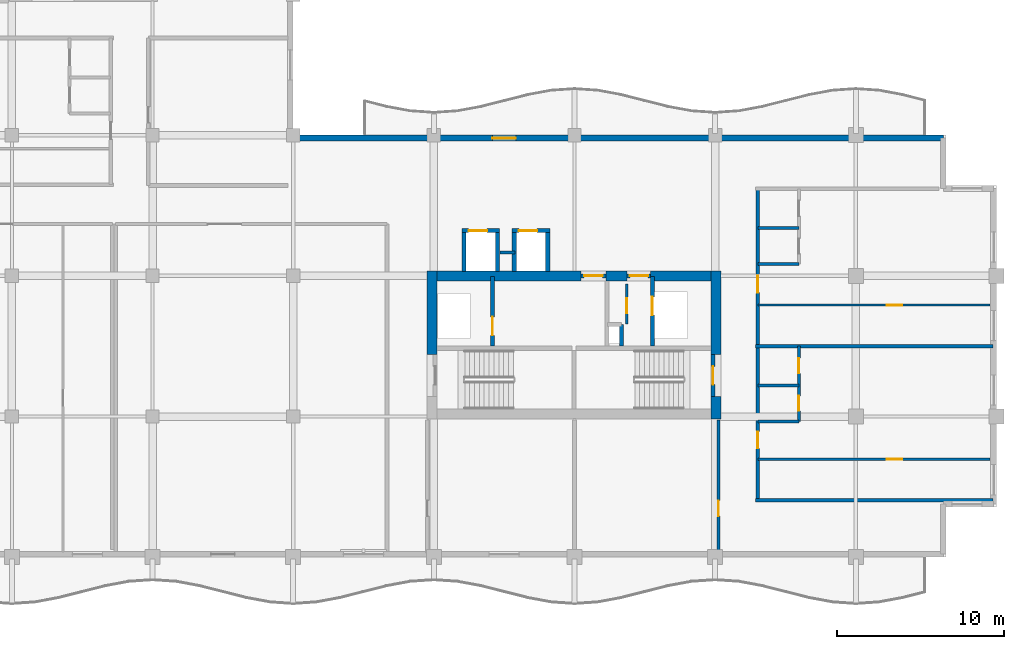
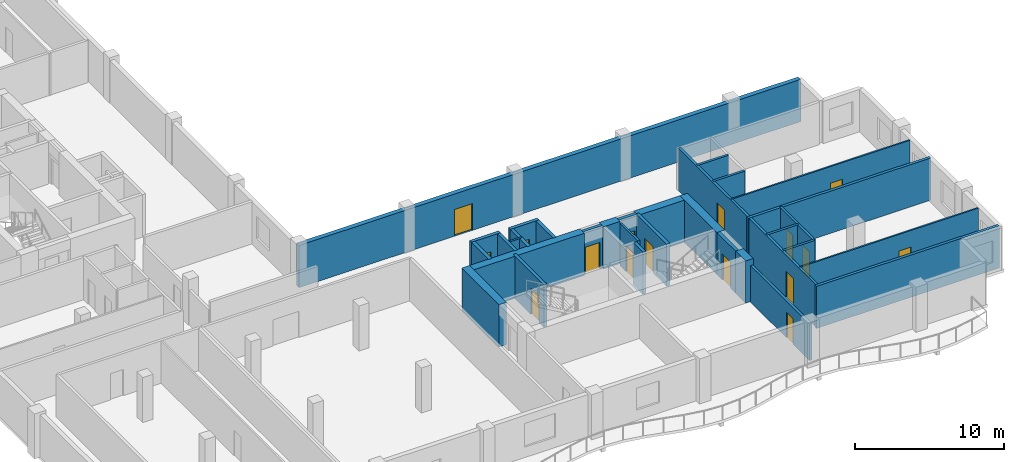
# One storey, part 7 of 16: 32 walls, 16 doors, 16 openings.
"""IFC4 building model written with IfcOpenShell, lengths in metres."""

from ifc_helpers import new_model, si_unit, direction, frame, frame_2d, origin, place, context, subcontext, project, spatial, rectangle, extrude, material, layer, layer_set, type_object, element, fill, save


model = new_model("IFC4")

# Units and contexts
model_context = context("Model", 3, precision=1e-05, world=origin(), true_north=direction((0.0, 1.0)))
body_context = subcontext(model_context, "Body", "Model", "MODEL_VIEW")
ifc_project = project(units=[si_unit("LENGTHUNIT", "METRE"), si_unit("AREAUNIT", "SQUARE_METRE"), si_unit("VOLUMEUNIT", "CUBIC_METRE"), si_unit("PLANEANGLEUNIT", "RADIAN"), si_unit("MASSUNIT", "GRAM", prefix="KILO")], contexts=[model_context])

# Site, building, storey
site_placement = place(None, origin())
site = spatial("IfcSite", under=ifc_project, at=site_placement, CompositionType="ELEMENT")
building_placement = place(site_placement, origin())
building = spatial("IfcBuilding", under=site, at=building_placement, Name="Koriwani Terraces Tower", CompositionType="ELEMENT")
storey_placement = place(building_placement, frame((0.0, 0.0, 267.5)))
storey = spatial("IfcBuildingStorey", under=building, at=storey_placement, Name="L66", CompositionType="ELEMENT", Elevation=267.5)

# Walls
ifc_material_1 = material(Name="Concrete C60/75", Category="concrete")
ifc_layer_1 = layer(ifc_material_1, 0.60009765625, Name="Concrete C60/75")
ifc_layer_set_1 = layer_set([ifc_layer_1], Name="Concrete C60/75")
wall_type_1 = type_object("IfcWallType", Name="WALL_CORE_RC_600", PredefinedType="SHEAR", material=ifc_layer_set_1)
wall_1_placement = place(storey_placement, frame((41.89990234375, 20.5, 0.0), z_axis=(0.0, 0.0, 1.0), x_axis=(0.0, 1.0, 0.0)))
element("IfcWall", 1, at=wall_1_placement, inside=storey, type_object=wall_type_1, Name="L66 East Split Core Shear Wall W2", PredefinedType="SHEAR", context=body_context, shape_type="SweptSolid", body=[
    extrude(rectangle(XDim=5.0, YDim=0.60009765625, at=frame_2d((2.5, 0.0))), origin(), (0.0, 0.0, 1.0), 3.469970703125),
])
wall_2_placement = place(storey_placement, frame((58.85009765625, 16.64990234375, 0.0), z_axis=(0.0, 0.0, 1.0), x_axis=(0.0, 1.0, 0.0)))
element("IfcWall", 2, at=wall_2_placement, inside=storey, type_object=wall_type_1, Name="L66 East Split Core Shear Wall E1", PredefinedType="SHEAR", context=body_context, shape_type="SweptSolid", body=[
    extrude(rectangle(XDim=1.35009765625, YDim=0.60009765625, at=frame_2d((0.675048828125, 0.0))), origin(), (0.0, 0.0, 1.0), 3.469970703125),
])
wall_3_placement = place(storey_placement, frame((58.85009765625, 20.5, 0.0), z_axis=(0.0, 0.0, 1.0), x_axis=(0.0, 1.0, 0.0)))
element("IfcWall", 3, at=wall_3_placement, inside=storey, type_object=wall_type_1, Name="L66 East Split Core Shear Wall E2", PredefinedType="SHEAR", context=body_context, shape_type="SweptSolid", body=[
    extrude(rectangle(XDim=5.0, YDim=0.60009765625, at=frame_2d((2.5, 0.0))), origin(), (0.0, 0.0, 1.0), 3.469970703125),
])
wall_4_placement = place(storey_placement, frame((42.199951171875, 25.199951171875, 0.0), z_axis=(0.0, 0.0, 1.0), x_axis=(1.0, 0.0, 0.0)))
element("IfcWall", 4, at=wall_4_placement, inside=storey, type_object=wall_type_1, Name="L66 East Split Core Shear Wall N1", PredefinedType="SHEAR", context=body_context, shape_type="SweptSolid", body=[
    extrude(rectangle(XDim=8.60009765625, YDim=0.60009765625, at=frame_2d((4.300048828125, 0.0))), origin(), (0.0, 0.0, 1.0), 3.469970703125),
])
wall_5_placement = place(storey_placement, frame((52.280029296875, 25.199951171875, 0.0), z_axis=(0.0, 0.0, 1.0), x_axis=(1.0, 0.0, 0.0)))
element("IfcWall", 5, at=wall_5_placement, inside=storey, type_object=wall_type_1, Name="L66 East Split Core Shear Wall N2", PredefinedType="SHEAR", context=body_context, shape_type="SweptSolid", body=[
    extrude(rectangle(XDim=1.27001953125, YDim=0.60009765625, at=frame_2d((0.635009765625, 0.0))), origin(), (0.0, 0.0, 1.0), 3.469970703125),
])
wall_6_placement = place(storey_placement, frame((54.949951171875, 25.199951171875, 0.0), z_axis=(0.0, 0.0, 1.0), x_axis=(1.0, 0.0, 0.0)))
element("IfcWall", 6, at=wall_6_placement, inside=storey, type_object=wall_type_1, Name="L66 East Split Core Shear Wall N3", PredefinedType="SHEAR", context=body_context, shape_type="SweptSolid", body=[
    extrude(rectangle(XDim=3.60009765625, YDim=0.60009765625, at=frame_2d((1.800048828125, 0.0))), origin(), (0.0, 0.0, 1.0), 3.469970703125),
])

# Wall, opening, door
ifc_material_2 = material(Name="Autoclaved Cellular Concrete Blockwork", Category="masonry")
ifc_layer_2 = layer(ifc_material_2, 0.199951171875, Name="Autoclaved Cellular Concrete Blockwork")
ifc_layer_set_2 = layer_set([ifc_layer_2], Name="Autoclaved Cellular Concrete Blockwork")
wall_type_2 = type_object("IfcWallType", Name="WALL_CORRIDOR_200", PredefinedType="PARTITIONING", material=ifc_layer_set_2)
wall_7_placement = place(storey_placement, frame((59.0, 8.64990234375, 0.0), z_axis=(0.0, 0.0, 1.0), x_axis=(0.0, 1.0, 0.0)))
wall_7 = element("IfcWall", 7, at=wall_7_placement, inside=storey, type_object=wall_type_2, Name="L66 Interior Wall WRZ4-EE-L66", PredefinedType="PARTITIONING", context=body_context, shape_type="SweptSolid", body=[
    extrude(rectangle(XDim=7.9501953125, YDim=0.199951171875, at=frame_2d((3.97509765625, 0.0))), origin(), (0.0, 0.0, 1.0), 3.007080078125),
])
opening_1_placement = place(wall_7_placement, frame((2.199951171875, 0.0, 0.0)))
opening_1 = element("IfcOpeningElement", 8, at=opening_1_placement, cuts=wall_7, Name="Opening D-06", PredefinedType="OPENING", context=body_context, shape_type="SweptSolid", body=[
    extrude(rectangle(XDim=0.919921875, YDim=2.10009765625, at=frame_2d((0.4599609375, 1.050048828125))), frame((0.0, 0.10986328125, 0.0), z_axis=(0.0, -1.0, 0.0), x_axis=(1.0, 0.0, 0.0)), (0.0, 0.0, 1.0), 0.219970703125),
])
ifc_material_3 = material(Name="Architectural Oak Fire Door", Category="wood")
door_type_1 = type_object("IfcDoorType", Name="DOOR_ROOM_INT_920X2100", OperationType="NOTDEFINED", PredefinedType="DOOR", material=ifc_material_3)
door_1_placement = place(opening_1_placement, origin())
door_1 = element("IfcDoor", 9, at=door_1_placement, inside=storey, type_object=door_type_1, Name="L66 Resident Laundry Room Door", OperationType="SINGLE_SWING_RIGHT", OverallHeight=2.10009765625, OverallWidth=0.919921875, PredefinedType="DOOR", context=body_context, shape_type="SweptSolid", body=[
    extrude(rectangle(XDim=0.919921875, YDim=2.10009765625, at=frame_2d((0.4599609375, 1.050048828125))), frame((0.0, 0.02490234375, 0.0), z_axis=(0.0, -1.0, 0.0), x_axis=(1.0, 0.0, 0.0)), (0.0, 0.0, 1.0), 0.050048828125),
])
fill(opening_1, door_1)

# Wall, openings, doors
wall_8_placement = place(storey_placement, frame((61.35009765625, 11.800048828125, 0.0), z_axis=(0.0, 0.0, 1.0), x_axis=(0.0, 1.0, 0.0)))
wall_8 = element("IfcWall", 10, at=wall_8_placement, inside=storey, type_object=wall_type_2, Name="L66 Interior Wall WRCOR-L66-ETE-0", PredefinedType="PARTITIONING", context=body_context, shape_type="SweptSolid", body=[
    extrude(rectangle(XDim=18.599853515625, YDim=0.199951171875, at=frame_2d((9.2998046875, 0.0))), origin(), (0.0, 0.0, 1.0), 3.469970703125),
])
opening_2_placement = place(wall_8_placement, frame((3.094970703125, 0.0, 0.0)))
opening_2 = element("IfcOpeningElement", 11, at=opening_2_placement, cuts=wall_8, Name="Opening D-05", PredefinedType="OPENING", context=body_context, shape_type="SweptSolid", body=[
    extrude(rectangle(XDim=1.0, YDim=2.14990234375, at=frame_2d((0.5, 1.074951171875))), frame((0.0, 0.10986328125, 0.0), z_axis=(0.0, -1.0, 0.0), x_axis=(1.0, 0.0, 0.0)), (0.0, 0.0, 1.0), 0.219970703125),
])
opening_3_placement = place(wall_8_placement, frame((12.39501953125, 0.0, 0.0)))
opening_3 = element("IfcOpeningElement", 12, at=opening_3_placement, cuts=wall_8, Name="Opening D-05", PredefinedType="OPENING", context=body_context, shape_type="SweptSolid", body=[
    extrude(rectangle(XDim=1.0, YDim=2.14990234375, at=frame_2d((0.5, 1.074951171875))), frame((0.0, 0.10986328125, 0.0), z_axis=(0.0, -1.0, 0.0), x_axis=(1.0, 0.0, 0.0)), (0.0, 0.0, 1.0), 0.219970703125),
])
door_type_2 = type_object("IfcDoorType", Name="DOOR_SUITE_ENTRY_1000X2150", OperationType="NOTDEFINED", PredefinedType="DOOR", material=ifc_material_3)
door_2_placement = place(opening_2_placement, origin())
door_2 = element("IfcDoor", 13, at=door_2_placement, inside=storey, type_object=door_type_2, Name="Apartment 66ETE1 Entrance Door", OperationType="SINGLE_SWING_RIGHT", OverallHeight=2.14990234375, OverallWidth=1.0, PredefinedType="DOOR", context=body_context, shape_type="SweptSolid", body=[
    extrude(rectangle(XDim=1.0, YDim=2.14990234375, at=frame_2d((0.5, 1.074951171875))), frame((0.0, 0.02490234375, 0.0), z_axis=(0.0, -1.0, 0.0), x_axis=(1.0, 0.0, 0.0)), (0.0, 0.0, 1.0), 0.050048828125),
])
fill(opening_2, door_2)
door_3_placement = place(opening_3_placement, origin())
door_3 = element("IfcDoor", 14, at=door_3_placement, inside=storey, type_object=door_type_2, Name="Apartment 66ETE2 Entrance Door", OperationType="SINGLE_SWING_RIGHT", OverallHeight=2.14990234375, OverallWidth=1.0, PredefinedType="DOOR", context=body_context, shape_type="SweptSolid", body=[
    extrude(rectangle(XDim=1.0, YDim=2.14990234375, at=frame_2d((0.5, 1.074951171875))), frame((0.0, 0.02490234375, 0.0), z_axis=(0.0, -1.0, 0.0), x_axis=(1.0, 0.0, 0.0)), (0.0, 0.0, 1.0), 0.050048828125),
])
fill(opening_3, door_3)

# Walls
ifc_layer_3 = layer(ifc_material_2, 0.219970703125, Name="Autoclaved Cellular Concrete Blockwork")
ifc_layer_set_3 = layer_set([ifc_layer_3], Name="Autoclaved Cellular Concrete Blockwork")
wall_type_3 = type_object("IfcWallType", Name="WALL_DEMISING_220", PredefinedType="PARTITIONING", material=ifc_layer_set_3)
for number, where, z_axis, x_axis, name in (
    (15, (61.199951171875, 11.800048828125, 0.0), (0.0, 0.0, 1.0), (1.0, 0.0, 0.0), "L66 Interior Wall WRDEM-L66-ETE-0"),
    (16, (61.199951171875, 21.0, 0.0), (0.0, 0.0, 1.0), (1.0, 0.0, 0.0), "L66 Interior Wall WRDEM-L66-ETE-1"),
):
    element("IfcWall", number, at=place(storey_placement, frame(where, z_axis=z_axis, x_axis=x_axis)), inside=storey, type_object=wall_type_3, Name=name, PredefinedType="PARTITIONING", context=body_context, shape_type="SweptSolid", body=[
        extrude(rectangle(XDim=14.199951171875, YDim=0.219970703125, at=frame_2d((7.10009765625, 0.0))), origin(), (0.0, 0.0, 1.0), 3.469970703125),
    ])

# Wall, opening, door
ifc_material_4 = material(Name="Concrete C50/60", Category="concrete")
ifc_layer_4 = layer(ifc_material_4, 0.35009765625, Name="Concrete C50/60")
ifc_layer_set_4 = layer_set([ifc_layer_4], Name="Concrete C50/60")
wall_type_4 = type_object("IfcWallType", Name="WALL_EXT_BRUTALIST_350", PredefinedType="STANDARD", material=ifc_layer_set_4)
wall_9_placement = place(storey_placement, frame((33.425048828125, 33.425048828125, 0.0), z_axis=(0.0, 0.0, 1.0), x_axis=(1.0, 0.0, 0.0)))
wall_9 = element("IfcWall", 17, at=wall_9_placement, inside=storey, type_object=wall_type_4, Name="L66 Fair-Faced Brutalist Exterior Wall (NE)", PredefinedType="STANDARD", context=body_context, shape_type="SweptSolid", body=[
    extrude(rectangle(XDim=39.0, YDim=0.35009765625, at=frame_2d((19.5, 0.0))), origin(), (0.0, 0.0, 1.0), 3.469970703125),
])
opening_4_placement = place(wall_9_placement, frame((12.074951171875, 0.0, 0.0)))
opening_4 = element("IfcOpeningElement", 18, at=opening_4_placement, cuts=wall_9, Name="Opening D-09", PredefinedType="OPENING", context=body_context, shape_type="SweptSolid", body=[
    extrude(rectangle(XDim=1.39990234375, YDim=2.199951171875, at=frame_2d((0.699951171875, 1.10009765625))), frame((0.0, 0.18505859375, 0.0), z_axis=(0.0, -1.0, 0.0), x_axis=(1.0, 0.0, 0.0)), (0.0, 0.0, 1.0), 0.3701171875),
])
ifc_material_5 = material(Name="Anodised Bronze Aluminium", Category="aluminium")
door_type_3 = type_object("IfcDoorType", Name="DOOR_BALCONY_GLAZED_1400X2200", OperationType="NOTDEFINED", PredefinedType="DOOR", material=ifc_material_5)
door_4_placement = place(opening_4_placement, origin())
door_4 = element("IfcDoor", 19, at=door_4_placement, inside=storey, type_object=door_type_3, Name="L66 Inner Court Balcony Glazed Door", OperationType="SINGLE_SWING_LEFT", OverallHeight=2.199951171875, OverallWidth=1.39990234375, PredefinedType="DOOR", context=body_context, shape_type="SweptSolid", body=[
    extrude(rectangle(XDim=1.39990234375, YDim=2.199951171875, at=frame_2d((0.699951171875, 1.10009765625))), frame((0.0, 0.02490234375, 0.0), z_axis=(0.0, -1.0, 0.0), x_axis=(1.0, 0.0, 0.0)), (0.0, 0.0, 1.0), 0.050048828125),
])
fill(opening_4, door_4)

ifc_material_6 = material(Name="Fire-Rated Acoustic Gypsum Partition", Category="masonry")
ifc_layer_5 = layer(ifc_material_6, 0.125, Name="Fire-Rated Acoustic Gypsum Partition")
ifc_layer_set_5 = layer_set([ifc_layer_5], Name="Fire-Rated Acoustic Gypsum Partition")
wall_type_5 = type_object("IfcWallType", Name="WALL_INT_125", PredefinedType="PARTITIONING", material=ifc_layer_set_5)
wall_10_placement = place(storey_placement, frame((61.35009765625, 14.25, 0.0), z_axis=(0.0, 0.0, 1.0), x_axis=(1.0, 0.0, 0.0)))
wall_10 = element("IfcWall", 20, at=wall_10_placement, inside=storey, type_object=wall_type_5, Name="L66 Interior Wall WRBED1-L66-ETE-0", PredefinedType="PARTITIONING", context=body_context, shape_type="SweptSolid", body=[
    extrude(rectangle(XDim=13.869873046875, YDim=0.125, at=frame_2d((6.93505859375, 0.0))), origin(), (0.0, 0.0, 1.0), 3.469970703125),
])
opening_5_placement = place(wall_10_placement, frame((7.699951171875, 0.0, 0.0)))
opening_5 = element("IfcOpeningElement", 21, at=opening_5_placement, cuts=wall_10, Name="Opening D-06", PredefinedType="OPENING", context=body_context, shape_type="SweptSolid", body=[
    extrude(rectangle(XDim=0.919921875, YDim=2.10009765625, at=frame_2d((0.4599609375, 1.050048828125))), frame((0.0, 0.072509765625, 0.0), z_axis=(0.0, -1.0, 0.0), x_axis=(1.0, 0.0, 0.0)), (0.0, 0.0, 1.0), 0.14501953125),
])
door_5_placement = place(opening_5_placement, origin())
door_5 = element("IfcDoor", 22, at=door_5_placement, inside=storey, type_object=door_type_1, Name="Apartment 66ETE1 Master Bedroom Door", OperationType="SINGLE_SWING_LEFT", OverallHeight=2.10009765625, OverallWidth=0.919921875, PredefinedType="DOOR", context=body_context, shape_type="SweptSolid", body=[
    extrude(rectangle(XDim=0.919921875, YDim=2.10009765625, at=frame_2d((0.4599609375, 1.050048828125))), frame((0.0, 0.02490234375, 0.0), z_axis=(0.0, -1.0, 0.0), x_axis=(1.0, 0.0, 0.0)), (0.0, 0.0, 1.0), 0.050048828125),
])
fill(opening_5, door_5)

wall_11_placement = place(storey_placement, frame((61.35009765625, 23.449951171875, 0.0), z_axis=(0.0, 0.0, 1.0), x_axis=(1.0, 0.0, 0.0)))
wall_11 = element("IfcWall", 23, at=wall_11_placement, inside=storey, type_object=wall_type_5, Name="L66 Interior Wall WRBED1-L66-ETE-1", PredefinedType="PARTITIONING", context=body_context, shape_type="SweptSolid", body=[
    extrude(rectangle(XDim=13.869873046875, YDim=0.125, at=frame_2d((6.93505859375, 0.0))), origin(), (0.0, 0.0, 1.0), 3.469970703125),
])
opening_6_placement = place(wall_11_placement, frame((7.699951171875, 0.0, 0.0)))
opening_6 = element("IfcOpeningElement", 24, at=opening_6_placement, cuts=wall_11, Name="Opening D-06", PredefinedType="OPENING", context=body_context, shape_type="SweptSolid", body=[
    extrude(rectangle(XDim=0.919921875, YDim=2.10009765625, at=frame_2d((0.4599609375, 1.050048828125))), frame((0.0, 0.072509765625, 0.0), z_axis=(0.0, -1.0, 0.0), x_axis=(1.0, 0.0, 0.0)), (0.0, 0.0, 1.0), 0.14501953125),
])
door_6_placement = place(opening_6_placement, origin())
door_6 = element("IfcDoor", 25, at=door_6_placement, inside=storey, type_object=door_type_1, Name="Apartment 66ETE2 Master Bedroom Door", OperationType="SINGLE_SWING_LEFT", OverallHeight=2.10009765625, OverallWidth=0.919921875, PredefinedType="DOOR", context=body_context, shape_type="SweptSolid", body=[
    extrude(rectangle(XDim=0.919921875, YDim=2.10009765625, at=frame_2d((0.4599609375, 1.050048828125))), frame((0.0, 0.02490234375, 0.0), z_axis=(0.0, -1.0, 0.0), x_axis=(1.0, 0.0, 0.0)), (0.0, 0.0, 1.0), 0.050048828125),
])
fill(opening_6, door_6)

# Wall, openings, doors
ifc_layer_6 = layer(ifc_material_6, 0.179931640625, Name="Fire-Rated Acoustic Gypsum Partition")
ifc_layer_set_6 = layer_set([ifc_layer_6], Name="Fire-Rated Acoustic Gypsum Partition")
wall_type_6 = type_object("IfcWallType", Name="WALL_PLUMBING_180", PredefinedType="PLUMBINGWALL", material=ifc_layer_set_6)
wall_12_placement = place(storey_placement, frame((63.800048828125, 16.5, 0.0), z_axis=(0.0, 0.0, 1.0), x_axis=(0.0, 1.0, 0.0)))
wall_12 = element("IfcWall", 26, at=wall_12_placement, inside=storey, type_object=wall_type_6, Name="L66 Interior Wall WRSVC-L66-ETE-0", PredefinedType="PLUMBINGWALL", context=body_context, shape_type="SweptSolid", body=[
    extrude(rectangle(XDim=4.5, YDim=0.179931640625, at=frame_2d((2.25, 0.0))), origin(), (0.0, 0.0, 1.0), 3.469970703125),
])
opening_7_placement = place(wall_12_placement, frame((0.6298828125, 0.0, 0.0)))
opening_7 = element("IfcOpeningElement", 27, at=opening_7_placement, cuts=wall_12, Name="Opening D-07", PredefinedType="OPENING", context=body_context, shape_type="SweptSolid", body=[
    extrude(rectangle(XDim=0.89990234375, YDim=2.10009765625, at=frame_2d((0.449951171875, 1.050048828125))), frame((0.0, 0.10009765625, 0.0), z_axis=(0.0, -1.0, 0.0), x_axis=(1.0, 0.0, 0.0)), (0.0, 0.0, 1.0), 0.199951171875),
])
opening_8_placement = place(wall_12_placement, frame((2.8701171875, 0.0, 0.0)))
opening_8 = element("IfcOpeningElement", 28, at=opening_8_placement, cuts=wall_12, Name="Opening D-06", PredefinedType="OPENING", context=body_context, shape_type="SweptSolid", body=[
    extrude(rectangle(XDim=0.919921875, YDim=2.10009765625, at=frame_2d((0.4599609375, 1.050048828125))), frame((0.0, 0.10009765625, 0.0), z_axis=(0.0, -1.0, 0.0), x_axis=(1.0, 0.0, 0.0)), (0.0, 0.0, 1.0), 0.199951171875),
])
door_type_4 = type_object("IfcDoorType", Name="DOOR_BATH_INT_900X2100", OperationType="NOTDEFINED", PredefinedType="DOOR", material=ifc_material_3)
door_7_placement = place(opening_7_placement, origin())
door_7 = element("IfcDoor", 29, at=door_7_placement, inside=storey, type_object=door_type_4, Name="Apartment 66ETE1 Bathroom Door", OperationType="SINGLE_SWING_LEFT", OverallHeight=2.10009765625, OverallWidth=0.89990234375, PredefinedType="DOOR", context=body_context, shape_type="SweptSolid", body=[
    extrude(rectangle(XDim=0.89990234375, YDim=2.10009765625, at=frame_2d((0.449951171875, 1.050048828125))), frame((0.0, 0.02490234375, 0.0), z_axis=(0.0, -1.0, 0.0), x_axis=(1.0, 0.0, 0.0)), (0.0, 0.0, 1.0), 0.050048828125),
])
fill(opening_7, door_7)
door_8_placement = place(opening_8_placement, origin())
door_8 = element("IfcDoor", 30, at=door_8_placement, inside=storey, type_object=door_type_1, Name="Apartment 66ETE1 Kitchen Door", OperationType="SINGLE_SWING_RIGHT", OverallHeight=2.10009765625, OverallWidth=0.919921875, PredefinedType="DOOR", context=body_context, shape_type="SweptSolid", body=[
    extrude(rectangle(XDim=0.919921875, YDim=2.10009765625, at=frame_2d((0.4599609375, 1.050048828125))), frame((0.0, 0.02490234375, 0.0), z_axis=(0.0, -1.0, 0.0), x_axis=(1.0, 0.0, 0.0)), (0.0, 0.0, 1.0), 0.050048828125),
])
fill(opening_8, door_8)

# Walls
for number, where, z_axis, x_axis, name in (
    (31, (61.35009765625, 16.5, 0.0), (0.0, 0.0, 1.0), (1.0, 0.0, 0.0), "L66 Interior Wall WRSVCS-L66-ETE-0"),
    (32, (61.35009765625, 18.659912109375, 0.0), (0.0, 0.0, 1.0), (1.0, 0.0, 0.0), "L66 Interior Wall WRSVCM-L66-ETE-0"),
    (33, (61.35009765625, 25.89990234375, 0.0), (0.0, 0.0, 1.0), (1.0, 0.0, 0.0), "L66 Interior Wall WRSVCS-L66-ETE-1"),
    (34, (61.35009765625, 28.06005859375, 0.0), (0.0, 0.0, 1.0), (1.0, 0.0, 0.0), "L66 Interior Wall WRSVCM-L66-ETE-1"),
):
    element("IfcWall", number, at=place(storey_placement, frame(where, z_axis=z_axis, x_axis=x_axis)), inside=storey, type_object=wall_type_6, Name=name, PredefinedType="PLUMBINGWALL", context=body_context, shape_type="SweptSolid", body=[
        extrude(rectangle(XDim=2.449951171875, YDim=0.179931640625, at=frame_2d((1.22509765625, 0.0))), origin(), (0.0, 0.0, 1.0), 3.469970703125),
    ])

# Wall, opening, door
ifc_material_7 = material(Name="Concrete C40/50", Category="concrete")
ifc_layer_7 = layer(ifc_material_7, 0.25, Name="Concrete C40/50")
ifc_layer_set_7 = layer_set([ifc_layer_7], Name="Concrete C40/50")
wall_type_7 = type_object("IfcWallType", Name="WALL_SHAFT_RATED_250", PredefinedType="SOLIDWALL", material=ifc_layer_set_7)
wall_13_placement = place(storey_placement, frame((58.675048828125, 18.0, 0.0), z_axis=(0.0, 0.0, 1.0), x_axis=(0.0, 1.0, 0.0)))
wall_13 = element("IfcWall", 35, at=wall_13_placement, inside=storey, type_object=wall_type_7, Name="L66 Interior Wall WIN-CE-L66-STE", PredefinedType="SOLIDWALL", context=body_context, shape_type="SweptSolid", body=[
    extrude(rectangle(XDim=2.5, YDim=0.25, at=frame_2d((1.25, 0.0))), origin(), (0.0, 0.0, 1.0), 3.469970703125),
])
opening_9_placement = place(wall_13_placement, frame((0.699951171875, 0.0, 0.0)))
opening_9 = element("IfcOpeningElement", 36, at=opening_9_placement, cuts=wall_13, Name="Opening D-03", PredefinedType="OPENING", context=body_context, shape_type="SweptSolid", body=[
    extrude(rectangle(XDim=1.10009765625, YDim=2.14990234375, at=frame_2d((0.550048828125, 1.074951171875))), frame((0.0, 0.135009765625, 0.0), z_axis=(0.0, -1.0, 0.0), x_axis=(1.0, 0.0, 0.0)), (0.0, 0.0, 1.0), 0.27001953125),
])
ifc_material_8 = material(Name="Steel ASTM A572 Grade 50", Category="steel")
door_type_5 = type_object("IfcDoorType", Name="DOOR_STAIR_FIRE_1100X2150", OperationType="NOTDEFINED", PredefinedType="DOOR", material=ifc_material_8)
door_9_placement = place(opening_9_placement, origin())
door_9 = element("IfcDoor", 37, at=door_9_placement, inside=storey, type_object=door_type_5, Name="L66 Exit Stair ST-E2 Door", OperationType="SINGLE_SWING_RIGHT", OverallHeight=2.14990234375, OverallWidth=1.10009765625, PredefinedType="DOOR", context=body_context, shape_type="SweptSolid", body=[
    extrude(rectangle(XDim=1.10009765625, YDim=2.14990234375, at=frame_2d((0.550048828125, 1.074951171875))), frame((0.0, 0.02490234375, 0.0), z_axis=(0.0, -1.0, 0.0), x_axis=(1.0, 0.0, 0.0)), (0.0, 0.0, 1.0), 0.050048828125),
])
fill(opening_9, door_9)

wall_14_placement = place(storey_placement, frame((45.5, 21.0, 0.0), z_axis=(0.0, 0.0, 1.0), x_axis=(0.0, 1.0, 0.0)))
wall_14 = element("IfcWall", 38, at=wall_14_placement, inside=storey, type_object=wall_type_7, Name="L66 Interior Wall WIN-CE-L66-FE", PredefinedType="SOLIDWALL", context=body_context, shape_type="SweptSolid", body=[
    extrude(rectangle(XDim=4.14990234375, YDim=0.25, at=frame_2d((2.074951171875, 0.0))), origin(), (0.0, 0.0, 1.0), 3.469970703125),
])
opening_10_placement = place(wall_14_placement, frame((0.64990234375, 0.0, 0.0)))
opening_10 = element("IfcOpeningElement", 39, at=opening_10_placement, cuts=wall_14, Name="Opening LD-01", PredefinedType="OPENING", context=body_context, shape_type="SweptSolid", body=[
    extrude(rectangle(XDim=1.10009765625, YDim=2.14990234375, at=frame_2d((0.550048828125, 1.074951171875))), frame((0.0, 0.135009765625, 0.0), z_axis=(0.0, -1.0, 0.0), x_axis=(1.0, 0.0, 0.0)), (0.0, 0.0, 1.0), 0.27001953125),
])
door_type_6 = type_object("IfcDoorType", Name="DOOR_LIFT_LANDING_1100X2200", OperationType="NOTDEFINED", PredefinedType="DOOR", material=ifc_material_8)
door_10_placement = place(opening_10_placement, origin())
door_10 = element("IfcDoor", 40, at=door_10_placement, inside=storey, type_object=door_type_6, Name="L66 Firefighting Lift FE-02 Landing Door", OperationType="SLIDING_TO_LEFT", OverallHeight=2.14990234375, OverallWidth=1.10009765625, PredefinedType="DOOR", context=body_context, shape_type="SweptSolid", body=[
    extrude(rectangle(XDim=1.10009765625, YDim=2.14990234375, at=frame_2d((0.550048828125, 1.074951171875))), frame((0.0, 0.02490234375, 0.0), z_axis=(0.0, -1.0, 0.0), x_axis=(1.0, 0.0, 0.0)), (0.0, 0.0, 1.0), 0.050048828125),
])
fill(opening_10, door_10)

wall_15_placement = place(storey_placement, frame((50.800048828125, 25.199951171875, 0.0), z_axis=(0.0, 0.0, 1.0), x_axis=(1.0, 0.0, 0.0)))
wall_15 = element("IfcWall", 41, at=wall_15_placement, inside=storey, type_object=wall_type_7, Name="L66 Interior Wall WIN-CE-L66-NP", PredefinedType="SOLIDWALL", context=body_context, shape_type="SweptSolid", body=[
    extrude(rectangle(XDim=1.47998046875, YDim=0.25, at=frame_2d((0.739990234375, 0.0))), origin(), (0.0, 0.0, 1.0), 3.469970703125),
])
opening_11_placement = place(wall_15_placement, frame((0.179931640625, 0.0, 0.0)))
opening_11 = element("IfcOpeningElement", 42, at=opening_11_placement, cuts=wall_15, Name="Opening D-03", PredefinedType="OPENING", context=body_context, shape_type="SweptSolid", body=[
    extrude(rectangle(XDim=1.10009765625, YDim=2.14990234375, at=frame_2d((0.550048828125, 1.074951171875))), frame((0.0, 0.135009765625, 0.0), z_axis=(0.0, -1.0, 0.0), x_axis=(1.0, 0.0, 0.0)), (0.0, 0.0, 1.0), 0.27001953125),
])
door_11_placement = place(opening_11_placement, origin())
door_11 = element("IfcDoor", 43, at=door_11_placement, inside=storey, type_object=door_type_5, Name="L66 East Firefighting Lobby Door", OperationType="SINGLE_SWING_LEFT", OverallHeight=2.14990234375, OverallWidth=1.10009765625, PredefinedType="DOOR", context=body_context, shape_type="SweptSolid", body=[
    extrude(rectangle(XDim=1.10009765625, YDim=2.14990234375, at=frame_2d((0.550048828125, 1.074951171875))), frame((0.0, 0.02490234375, 0.0), z_axis=(0.0, -1.0, 0.0), x_axis=(1.0, 0.0, 0.0)), (0.0, 0.0, 1.0), 0.050048828125),
])
fill(opening_11, door_11)

wall_16_placement = place(storey_placement, frame((55.050048828125, 21.0, 0.0), z_axis=(0.0, 0.0, 1.0), x_axis=(0.0, 1.0, 0.0)))
wall_16 = element("IfcWall", 44, at=wall_16_placement, inside=storey, type_object=wall_type_7, Name="L66 Interior Wall WIN-CE-L66-SE", PredefinedType="SOLIDWALL", context=body_context, shape_type="SweptSolid", body=[
    extrude(rectangle(XDim=4.14990234375, YDim=0.25, at=frame_2d((2.074951171875, 0.0))), origin(), (0.0, 0.0, 1.0), 3.469970703125),
])
opening_12_placement = place(wall_16_placement, frame((1.85009765625, 0.0, 0.0)))
opening_12 = element("IfcOpeningElement", 45, at=opening_12_placement, cuts=wall_16, Name="Opening LD-01", PredefinedType="OPENING", context=body_context, shape_type="SweptSolid", body=[
    extrude(rectangle(XDim=1.10009765625, YDim=2.14990234375, at=frame_2d((0.550048828125, 1.074951171875))), frame((0.0, 0.135009765625, 0.0), z_axis=(0.0, -1.0, 0.0), x_axis=(1.0, 0.0, 0.0)), (0.0, 0.0, 1.0), 0.27001953125),
])
door_12_placement = place(opening_12_placement, origin())
door_12 = element("IfcDoor", 46, at=door_12_placement, inside=storey, type_object=door_type_6, Name="L66 Goods Lift SE-02 Landing Door", OperationType="SLIDING_TO_LEFT", OverallHeight=2.14990234375, OverallWidth=1.10009765625, PredefinedType="DOOR", context=body_context, shape_type="SweptSolid", body=[
    extrude(rectangle(XDim=1.10009765625, YDim=2.14990234375, at=frame_2d((0.550048828125, 1.074951171875))), frame((0.0, 0.02490234375, 0.0), z_axis=(0.0, -1.0, 0.0), x_axis=(1.0, 0.0, 0.0)), (0.0, 0.0, 1.0), 0.050048828125),
])
fill(opening_12, door_12)

wall_17_placement = place(storey_placement, frame((53.550048828125, 25.199951171875, 0.0), z_axis=(0.0, 0.0, 1.0), x_axis=(1.0, 0.0, 0.0)))
wall_17 = element("IfcWall", 47, at=wall_17_placement, inside=storey, type_object=wall_type_7, Name="L66 Interior Wall WIN-CE-L66-NP2", PredefinedType="SOLIDWALL", context=body_context, shape_type="SweptSolid", body=[
    extrude(rectangle(XDim=1.39990234375, YDim=0.25, at=frame_2d((0.699951171875, 0.0))), origin(), (0.0, 0.0, 1.0), 3.469970703125),
])
opening_13_placement = place(wall_17_placement, frame((0.14990234375, 0.0, 0.0)))
opening_13 = element("IfcOpeningElement", 48, at=opening_13_placement, cuts=wall_17, Name="Opening D-03", PredefinedType="OPENING", context=body_context, shape_type="SweptSolid", body=[
    extrude(rectangle(XDim=1.10009765625, YDim=2.14990234375, at=frame_2d((0.550048828125, 1.074951171875))), frame((0.0, 0.135009765625, 0.0), z_axis=(0.0, -1.0, 0.0), x_axis=(1.0, 0.0, 0.0)), (0.0, 0.0, 1.0), 0.27001953125),
])
door_13_placement = place(opening_13_placement, origin())
door_13 = element("IfcDoor", 49, at=door_13_placement, inside=storey, type_object=door_type_5, Name="L66 East Goods Lift Lobby Door", OperationType="SINGLE_SWING_RIGHT", OverallHeight=2.14990234375, OverallWidth=1.10009765625, PredefinedType="DOOR", context=body_context, shape_type="SweptSolid", body=[
    extrude(rectangle(XDim=1.10009765625, YDim=2.14990234375, at=frame_2d((0.550048828125, 1.074951171875))), frame((0.0, 0.02490234375, 0.0), z_axis=(0.0, -1.0, 0.0), x_axis=(1.0, 0.0, 0.0)), (0.0, 0.0, 1.0), 0.050048828125),
])
fill(opening_13, door_13)

# Wall
wall_18_placement = place(storey_placement, frame((53.199951171875, 21.0, 0.0), z_axis=(0.0, 0.0, 1.0), x_axis=(0.0, 1.0, 0.0)))
element("IfcWall", 50, at=wall_18_placement, inside=storey, type_object=wall_type_7, Name="L66 Interior Wall WIN-CE-L66-RS1", PredefinedType="SOLIDWALL", context=body_context, shape_type="SweptSolid", body=[
    extrude(rectangle(XDim=1.300048828125, YDim=0.25, at=frame_2d((0.64990234375, 0.0))), origin(), (0.0, 0.0, 1.0), 3.469970703125),
])

# Wall, opening, door
wall_19_placement = place(storey_placement, frame((43.675048828125, 27.89990234375, 0.0), z_axis=(0.0, 0.0, 1.0), x_axis=(1.0, 0.0, 0.0)))
wall_19 = element("IfcWall", 51, at=wall_19_placement, inside=storey, type_object=wall_type_7, Name="L66 Interior Wall WIN-LF-PE-H3-L66-F", PredefinedType="SOLIDWALL", context=body_context, shape_type="SweptSolid", body=[
    extrude(rectangle(XDim=2.25, YDim=0.25, at=frame_2d((1.125, 0.0))), origin(), (0.0, 0.0, 1.0), 3.469970703125),
])
opening_14_placement = place(wall_19_placement, frame((0.39990234375, 0.0, 0.0)))
opening_14 = element("IfcOpeningElement", 52, at=opening_14_placement, cuts=wall_19, Name="Opening LD-01", PredefinedType="OPENING", context=body_context, shape_type="SweptSolid", body=[
    extrude(rectangle(XDim=1.10009765625, YDim=2.14990234375, at=frame_2d((0.550048828125, 1.074951171875))), frame((0.0, 0.135009765625, 0.0), z_axis=(0.0, -1.0, 0.0), x_axis=(1.0, 0.0, 0.0)), (0.0, 0.0, 1.0), 0.27001953125),
])
door_14_placement = place(opening_14_placement, origin())
door_14 = element("IfcDoor", 53, at=door_14_placement, inside=storey, type_object=door_type_6, Name="L66 Passenger Lift PE-H3 Landing Door", OperationType="SLIDING_TO_LEFT", OverallHeight=2.14990234375, OverallWidth=1.10009765625, PredefinedType="DOOR", context=body_context, shape_type="SweptSolid", body=[
    extrude(rectangle(XDim=1.10009765625, YDim=2.14990234375, at=frame_2d((0.550048828125, 1.074951171875))), frame((0.0, 0.02490234375, 0.0), z_axis=(0.0, -1.0, 0.0), x_axis=(1.0, 0.0, 0.0)), (0.0, 0.0, 1.0), 0.050048828125),
])
fill(opening_14, door_14)

# Walls
for number, where, z_axis, x_axis, name in (
    (54, (43.800048828125, 25.449951171875, 0.0), (0.0, 0.0, 1.0), (0.0, 1.0, 0.0), "L66 Interior Wall WIN-LF-PE-H3-L66-W"),
    (55, (45.800048828125, 25.449951171875, 0.0), (0.0, 0.0, 1.0), (0.0, 1.0, 0.0), "L66 Interior Wall WIN-LF-PE-H3-L66-E"),
):
    element("IfcWall", number, at=place(storey_placement, frame(where, z_axis=z_axis, x_axis=x_axis)), inside=storey, type_object=wall_type_7, Name=name, PredefinedType="SOLIDWALL", context=body_context, shape_type="SweptSolid", body=[
        extrude(rectangle(XDim=2.324951171875, YDim=0.25, at=frame_2d((1.16259765625, 0.0))), origin(), (0.0, 0.0, 1.0), 3.469970703125),
    ])

# Wall, opening, door
wall_20_placement = place(storey_placement, frame((46.675048828125, 27.89990234375, 0.0), z_axis=(0.0, 0.0, 1.0), x_axis=(1.0, 0.0, 0.0)))
wall_20 = element("IfcWall", 56, at=wall_20_placement, inside=storey, type_object=wall_type_7, Name="L66 Interior Wall WIN-LF-PE-H4-L66-F", PredefinedType="SOLIDWALL", context=body_context, shape_type="SweptSolid", body=[
    extrude(rectangle(XDim=2.25, YDim=0.25, at=frame_2d((1.125, 0.0))), origin(), (0.0, 0.0, 1.0), 3.469970703125),
])
opening_15_placement = place(wall_20_placement, frame((0.39990234375, 0.0, 0.0)))
opening_15 = element("IfcOpeningElement", 57, at=opening_15_placement, cuts=wall_20, Name="Opening LD-01", PredefinedType="OPENING", context=body_context, shape_type="SweptSolid", body=[
    extrude(rectangle(XDim=1.10009765625, YDim=2.14990234375, at=frame_2d((0.550048828125, 1.074951171875))), frame((0.0, 0.135009765625, 0.0), z_axis=(0.0, -1.0, 0.0), x_axis=(1.0, 0.0, 0.0)), (0.0, 0.0, 1.0), 0.27001953125),
])
door_15_placement = place(opening_15_placement, origin())
door_15 = element("IfcDoor", 58, at=door_15_placement, inside=storey, type_object=door_type_6, Name="L66 Passenger Lift PE-H4 Landing Door", OperationType="SLIDING_TO_LEFT", OverallHeight=2.14990234375, OverallWidth=1.10009765625, PredefinedType="DOOR", context=body_context, shape_type="SweptSolid", body=[
    extrude(rectangle(XDim=1.10009765625, YDim=2.14990234375, at=frame_2d((0.550048828125, 1.074951171875))), frame((0.0, 0.02490234375, 0.0), z_axis=(0.0, -1.0, 0.0), x_axis=(1.0, 0.0, 0.0)), (0.0, 0.0, 1.0), 0.050048828125),
])
fill(opening_15, door_15)

# Walls
for number, where, z_axis, x_axis, name in (
    (59, (46.800048828125, 25.449951171875, 0.0), (0.0, 0.0, 1.0), (0.0, 1.0, 0.0), "L66 Interior Wall WIN-LF-PE-H4-L66-W"),
    (60, (48.800048828125, 25.449951171875, 0.0), (0.0, 0.0, 1.0), (0.0, 1.0, 0.0), "L66 Interior Wall WIN-LF-PE-H4-L66-E"),
):
    element("IfcWall", number, at=place(storey_placement, frame(where, z_axis=z_axis, x_axis=x_axis)), inside=storey, type_object=wall_type_7, Name=name, PredefinedType="SOLIDWALL", context=body_context, shape_type="SweptSolid", body=[
        extrude(rectangle(XDim=2.324951171875, YDim=0.25, at=frame_2d((1.16259765625, 0.0))), origin(), (0.0, 0.0, 1.0), 3.469970703125),
    ])

# Wall, opening, door
ifc_layer_8 = layer(ifc_material_6, 0.159912109375, Name="Fire-Rated Acoustic Gypsum Partition")
ifc_layer_set_8 = layer_set([ifc_layer_8], Name="Fire-Rated Acoustic Gypsum Partition")
wall_type_8 = type_object("IfcWallType", Name="WALL_SUITE_160", PredefinedType="PARTITIONING", material=ifc_layer_set_8)
wall_21_placement = place(storey_placement, frame((53.52001953125, 22.320068359375, 0.0), z_axis=(0.0, 0.0, 1.0), x_axis=(0.0, 1.0, 0.0)))
wall_21 = element("IfcWall", 61, at=wall_21_placement, inside=storey, type_object=wall_type_8, Name="L66 Interior Wall WIN-CE-L66-SV0", PredefinedType="PARTITIONING", context=body_context, shape_type="SweptSolid", body=[
    extrude(rectangle(XDim=2.39990234375, YDim=0.159912109375, at=frame_2d((1.199951171875, 0.0))), origin(), (0.0, 0.0, 1.0), 3.469970703125),
])
opening_16_placement = place(wall_21_placement, frame((0.64990234375, 0.0, 0.0)))
opening_16 = element("IfcOpeningElement", 62, at=opening_16_placement, cuts=wall_21, Name="Opening D-07", PredefinedType="OPENING", context=body_context, shape_type="SweptSolid", body=[
    extrude(rectangle(XDim=0.89990234375, YDim=2.10009765625, at=frame_2d((0.449951171875, 1.050048828125))), frame((0.0, 0.08984375, 0.0), z_axis=(0.0, -1.0, 0.0), x_axis=(1.0, 0.0, 0.0)), (0.0, 0.0, 1.0), 0.179931640625),
])
door_16_placement = place(opening_16_placement, origin())
door_16 = element("IfcDoor", 63, at=door_16_placement, inside=storey, type_object=door_type_4, Name="L66 East Electrical Switch Room Door", OperationType="SINGLE_SWING_LEFT", OverallHeight=2.10009765625, OverallWidth=0.89990234375, PredefinedType="DOOR", context=body_context, shape_type="SweptSolid", body=[
    extrude(rectangle(XDim=0.89990234375, YDim=2.10009765625, at=frame_2d((0.449951171875, 1.050048828125))), frame((0.0, 0.02490234375, 0.0), z_axis=(0.0, -1.0, 0.0), x_axis=(1.0, 0.0, 0.0)), (0.0, 0.0, 1.0), 0.050048828125),
])
fill(opening_16, door_16)

# Wall
wall_22_placement = place(storey_placement, frame((45.9599609375, 26.60009765625, 0.0), z_axis=(0.0, 0.0, 1.0), x_axis=(1.0, 0.0, 0.0)))
element("IfcWall", 64, at=wall_22_placement, inside=storey, type_object=wall_type_8, Name="L66 Interior Wall WIN-LF-PEH34-MID-L66", PredefinedType="PARTITIONING", context=body_context, shape_type="SweptSolid", body=[
    extrude(rectangle(XDim=0.880126953125, YDim=0.159912109375, at=frame_2d((0.43994140625, 0.0))), origin(), (0.0, 0.0, 1.0), 3.469970703125),
])

save(model, "model.ifc")
